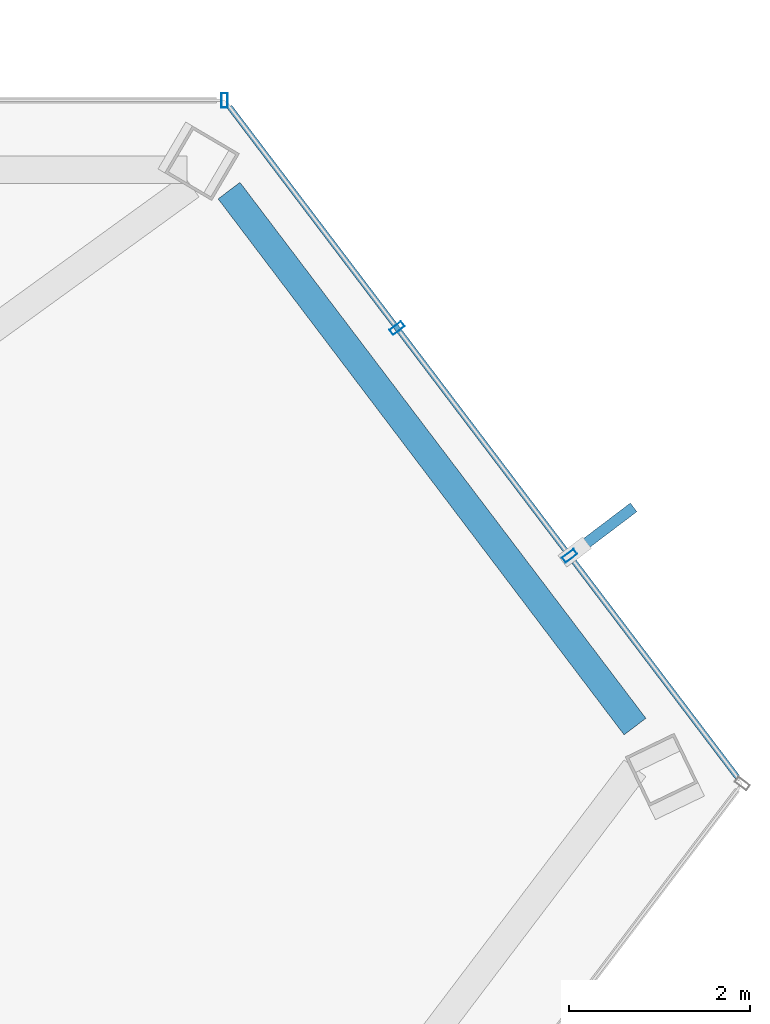
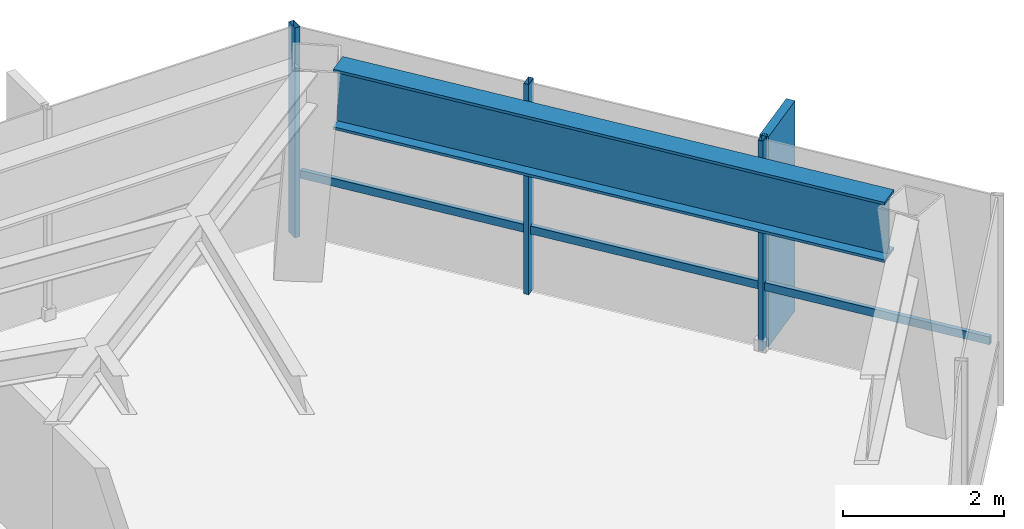
# One storey, part 22 of 27: 5 members, 1 beam, 2 elements without a shape of their own.
"""IFC4 building model written with IfcOpenShell, lengths in metres."""

from ifc_helpers import new_model, si_unit, direction, frame, origin, origin_2d, place, context, subcontext, project, spatial, rectangle, hollow_rectangle, i_section, extrude, material, layer, layer_set, material_profile, profile_set, type_object, element, aggregate, save


model = new_model("IFC4")

# Units and contexts
model_context = context("Model", 3, precision=1e-05, world=origin(), true_north=direction((0.0, 1.0)))
body_context = subcontext(model_context, "Body", "Model", "MODEL_VIEW")
ifc_project = project(units=[si_unit("LENGTHUNIT", "METRE"), si_unit("AREAUNIT", "SQUARE_METRE"), si_unit("VOLUMEUNIT", "CUBIC_METRE"), si_unit("PLANEANGLEUNIT", "RADIAN"), si_unit("MASSUNIT", "GRAM", prefix="KILO")], contexts=[model_context])

# Site, building, storey
site_placement = place(None, origin())
site = spatial("IfcSite", under=ifc_project, at=site_placement, CompositionType="ELEMENT")
building_placement = place(site_placement, origin())
building = spatial("IfcBuilding", under=site, at=building_placement, Name="Zarrinselat Tower", CompositionType="ELEMENT")
storey_placement = place(building_placement, frame((0.0, 0.0, 215.56005859375)))
storey = spatial("IfcBuildingStorey", under=building, at=storey_placement, Name="L53", CompositionType="ELEMENT", Elevation=215.56005859375)

# Beam
ifc_material_1 = material(Name="Steel S460M", Category="steel")
ifc_material_profile_1 = material_profile(ifc_material_1, i_section(OverallWidth=0.302001953125, OverallDepth=0.909912109375, WebThickness=0.02099609375, FlangeThickness=0.0400390625, at=origin_2d()), Name="HEM 900")
ifc_profile_set_1 = profile_set([ifc_material_profile_1], Name="Steel S460M")
beam_type = type_object("IfcBeamType", Name="BM-HEM900", PredefinedType="BEAM", material=ifc_profile_set_1)
beam_placement = place(storey_placement, frame((56.59033203125, 47.414794921875, 2.724853515625), z_axis=(0.6038557856, -0.797093589359, 0.0), x_axis=(0.797093589359, 0.6038557856, 0.0)))
element("IfcBeam", 1, at=beam_placement, inside=storey, type_object=beam_type, Name="L53 Perimeter Spandrel Girder SP15", PredefinedType="BEAM", context=body_context, shape_type="SweptSolid", body=[
    extrude(i_section(OverallWidth=0.302001953125, OverallDepth=0.909912109375, WebThickness=0.02099609375, FlangeThickness=0.0400390625, at=origin_2d()), origin(), (0.0, 0.0, 1.0), 7.41259765625),
])

# Curtain wall, member
ifc_material_2 = material(Name="Extruded Aluminium Alloy EN AW-6063 T6", Category="aluminium")
ifc_layer = layer(ifc_material_2, 0.169921875)
ifc_layer_set = layer_set([ifc_layer], Name="Extruded Aluminium Alloy EN AW-6063 T6")
curtain_wall_type = type_object("IfcCurtainWallType", Name="CWS-RES", PredefinedType="NOTDEFINED", material=ifc_layer_set)
curtain_wall_1_placement = place(storey_placement, origin())
curtain_wall_1 = element("IfcCurtainWall", 2, at=curtain_wall_1_placement, inside=storey, type_object=curtain_wall_type, Name="L53 Unitised Curtain Wall CW-L53-E01", PredefinedType="NOTDEFINED")
ifc_material_3 = material(Name="Extruded Aluminium Alloy EN AW-6063 T6", Category="aluminium")
ifc_material_profile_2 = material_profile(ifc_material_3, hollow_rectangle(XDim=0.070068359375, YDim=0.159912109375, WallThickness=0.00390625, at=origin_2d()), Name="RHS 160x70x4")
ifc_profile_set_2 = profile_set([ifc_material_profile_2], Name="Extruded Aluminium Alloy EN AW-6063 T6")
member_type_1 = type_object("IfcMemberType", Name="MEM-CW-MUL2", PredefinedType="MULLION", material=ifc_profile_set_2)
member_1_placement = place(storey_placement, frame((56.541259765625, 48.4111328125, 0.0), z_axis=(0.0, 0.0, 1.0), x_axis=(-1.0, 0.0, 0.0)))
member_1 = element("IfcMember", 3, at=member_1_placement, type_object=member_type_1, Name="CW-L53-E01 Mullion 0", PredefinedType="MULLION", context=body_context, shape_type="SweptSolid", body=[
    extrude(hollow_rectangle(XDim=0.070068359375, YDim=0.159912109375, WallThickness=0.00390625, at=origin_2d()), origin(), (0.0, 0.0, 1.0), 3.179931640625),
])
aggregate(curtain_wall_1, [member_1])

# Curtain wall, members
curtain_wall_2_placement = place(storey_placement, origin())
curtain_wall_2 = element("IfcCurtainWall", 4, at=curtain_wall_2_placement, inside=storey, type_object=curtain_wall_type, Name="L53 Unitised Curtain Wall CW-L53-E06", PredefinedType="NOTDEFINED")
member_2_placement = place(storey_placement, frame((60.345947265625, 43.388916015625, 0.0), z_axis=(0.0, 0.0, 1.0), x_axis=(-0.603857891707, 0.797091993827, 0.0)))
member_2 = element("IfcMember", 5, at=member_2_placement, type_object=member_type_1, Name="CW-L53-E06 Mullion 1", PredefinedType="MULLION", context=body_context, shape_type="SweptSolid", body=[
    extrude(hollow_rectangle(XDim=0.070068359375, YDim=0.159912109375, WallThickness=0.00390625, at=origin_2d()), origin(), (0.0, 0.0, 1.0), 3.179931640625),
])
member_3_placement = place(storey_placement, frame((58.443603515625, 45.89990234375, 0.0), z_axis=(0.0, 0.0, 1.0), x_axis=(-0.603857891707, 0.797091993827, 0.0)))
member_3 = element("IfcMember", 6, at=member_3_placement, type_object=member_type_1, Name="CW-L53-E06 Mullion 2", PredefinedType="MULLION", context=body_context, shape_type="SweptSolid", body=[
    extrude(hollow_rectangle(XDim=0.070068359375, YDim=0.159912109375, WallThickness=0.00390625, at=origin_2d()), origin(), (0.0, 0.0, 1.0), 3.179931640625),
])
ifc_material_4 = material(Name="Extruded Aluminium Alloy EN AW-6063 T6", Category="aluminium")
ifc_material_profile_3 = material_profile(ifc_material_4, hollow_rectangle(XDim=0.06005859375, YDim=0.1201171875, WallThickness=0.00390625, at=origin_2d()), Name="RHS 120x60x4")
ifc_profile_set_3 = profile_set([ifc_material_profile_3], Name="Extruded Aluminium Alloy EN AW-6063 T6")
member_type_2 = type_object("IfcMemberType", Name="MEM-CW-TRN2", PredefinedType="USERDEFINED", material=ifc_profile_set_3)
member_4_placement = place(storey_placement, frame((62.194091796875, 40.94921875, 0.949951171875), z_axis=(-0.603860729921, 0.797089843656, 0.0), x_axis=(-0.797089843656, -0.603860729921, 0.0)))
member_4 = element("IfcMember", 7, at=member_4_placement, type_object=member_type_2, Name="CW-L53-E06 Transom 1", ObjectType="TRANSOM", PredefinedType="USERDEFINED", context=body_context, shape_type="SweptSolid", body=[
    extrude(hollow_rectangle(XDim=0.06005859375, YDim=0.1201171875, WallThickness=0.00390625, at=origin_2d()), origin(), (0.0, 0.0, 1.0), 9.271484375),
])
ifc_material_5 = material(Name="Honed Cream Travertine Stone", Category="masonry")
ifc_material_profile_4 = material_profile(ifc_material_5, rectangle(XDim=0.1201171875, YDim=0.85009765625, at=origin_2d()), Name="FIN 850x120")
ifc_profile_set_4 = profile_set([ifc_material_profile_4], Name="Honed Cream Travertine Stone")
member_type_3 = type_object("IfcMemberType", Name="MEM-STONE-FIN", PredefinedType="USERDEFINED", material=ifc_profile_set_4)
member_5_placement = place(storey_placement, frame((60.712646484375, 43.66650390625, 0.0), z_axis=(0.0, 0.0, 1.0), x_axis=(0.603857891707, -0.797091993827, 0.0)))
member_5 = element("IfcMember", 8, at=member_5_placement, type_object=member_type_3, Name="L53 Stone Shading Fin CW-L53-E06-01", ObjectType="FIN", PredefinedType="USERDEFINED", context=body_context, shape_type="SweptSolid", body=[
    extrude(rectangle(XDim=0.1201171875, YDim=0.85009765625, at=origin_2d()), origin(), (0.0, 0.0, 1.0), 3.179931640625),
])
aggregate(curtain_wall_2, [member_2, member_5, member_3, member_4])

save(model, "model.ifc")
